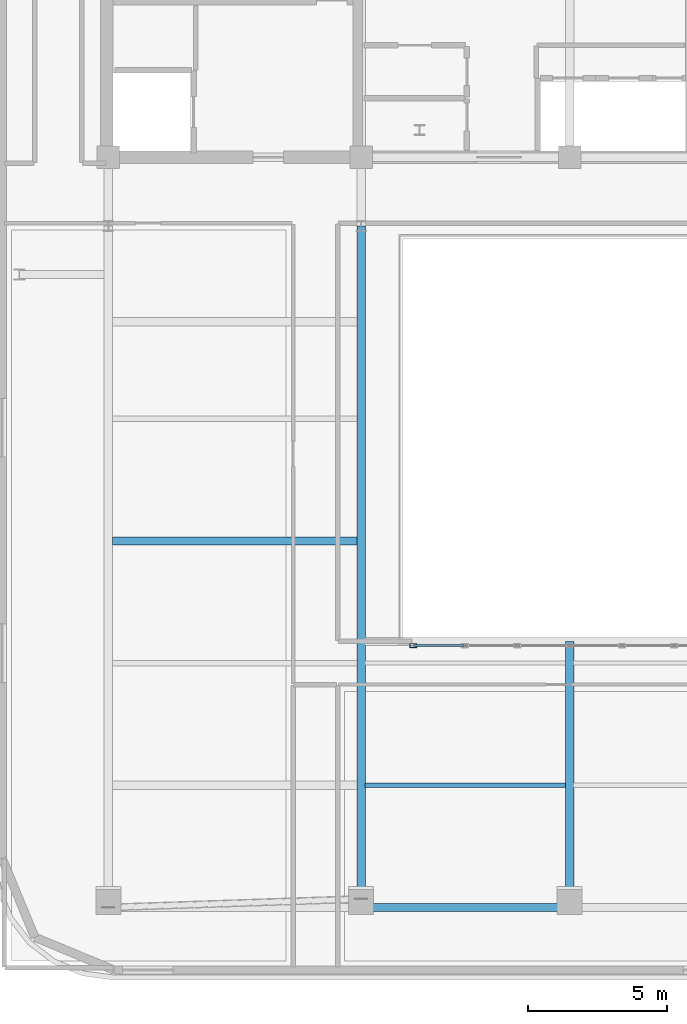
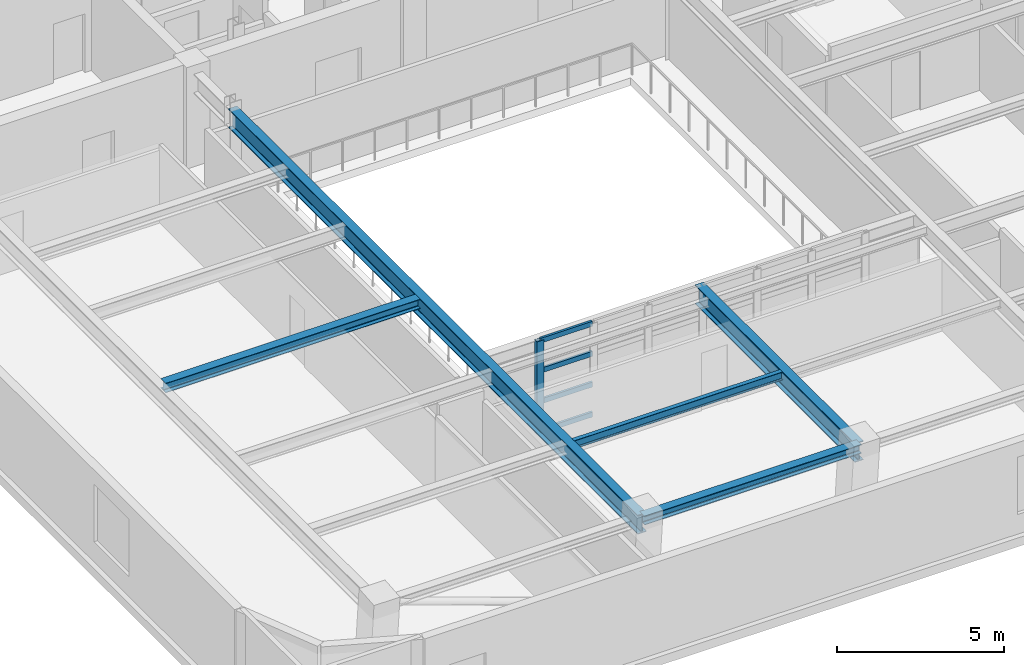
# One storey, part 2 of 11: 5 beams, 5 members, 1 element without a shape of its own.
"""IFC4 building model written with IfcOpenShell, lengths in metres."""

from ifc_helpers import new_model, si_unit, direction, frame, origin, origin_2d, place, context, subcontext, project, spatial, hollow_rectangle, i_section, extrude, material, layer, layer_set, material_profile, profile_set, type_object, element, aggregate, save


model = new_model("IFC4")

# Units and contexts
model_context = context("Model", 3, precision=1e-05, world=origin(), true_north=direction((0.0, 1.0)))
body_context = subcontext(model_context, "Body", "Model", "MODEL_VIEW")
ifc_project = project(units=[si_unit("LENGTHUNIT", "METRE"), si_unit("AREAUNIT", "SQUARE_METRE"), si_unit("VOLUMEUNIT", "CUBIC_METRE"), si_unit("PLANEANGLEUNIT", "RADIAN"), si_unit("MASSUNIT", "GRAM", prefix="KILO")], contexts=[model_context])

# Site, building, storey
site_placement = place(None, origin())
site = spatial("IfcSite", under=ifc_project, at=site_placement, CompositionType="ELEMENT")
building_placement = place(site_placement, origin())
building = spatial("IfcBuilding", under=site, at=building_placement, Name="Zarnavel Station Tower", CompositionType="ELEMENT")
storey_placement = place(building_placement, frame((0.0, 0.0, 276.89990234375)))
storey = spatial("IfcBuildingStorey", under=building, at=storey_placement, Name="L75", CompositionType="ELEMENT", Elevation=276.89990234375)

# Curtain wall, members
ifc_material_1 = material(Name="Aluminium Dark Anodised and Solar-Control Glass", Category="aluminium")
ifc_layer = layer(ifc_material_1, 0.179931640625)
ifc_layer_set = layer_set([ifc_layer], Name="CWS6")
curtain_wall_type = type_object("IfcCurtainWallType", Name="CWS6", PredefinedType="NOTDEFINED", material=ifc_layer_set)
curtain_wall_placement = place(storey_placement, origin())
curtain_wall = element("IfcCurtainWall", 1, at=curtain_wall_placement, inside=storey, type_object=curtain_wall_type, Name="L75 Curtain Wall CWS6-L75-AS", PredefinedType="NOTDEFINED")
ifc_material_2 = material(Name="Steel S355J2 (Black Fluoropolymer Coated)", Category="steel")
ifc_material_profile_1 = material_profile(ifc_material_2, hollow_rectangle(XDim=0.14990234375, YDim=0.25, WallThickness=0.010009765625, at=origin_2d()), Name="RHS250x150x10")
ifc_profile_set_1 = profile_set([ifc_material_profile_1], Name="Steel S355J2 (Black Fluoropolymer Coated)")
member_type_1 = type_object("IfcMemberType", Name="CWS6_MUL", PredefinedType="MULLION", material=ifc_profile_set_1)
member_1_placement = place(storey_placement, frame((23.179931640625, 10.25, 0.0), z_axis=(0.0, 0.0, 1.0), x_axis=(0.0, 1.0, 0.0)))
member_1 = element("IfcMember", 2, at=member_1_placement, type_object=member_type_1, Name="CW6 mullion 1", PredefinedType="MULLION", context=body_context, shape_type="SweptSolid", body=[
    extrude(hollow_rectangle(XDim=0.14990234375, YDim=0.25, WallThickness=0.010009765625, at=origin_2d()), origin(), (0.0, 0.0, 1.0), 3.380126953125),
])
ifc_material_3 = material(Name="Steel S355J2 (Black Fluoropolymer Coated)", Category="steel")
ifc_material_profile_2 = material_profile(ifc_material_3, hollow_rectangle(XDim=0.080078125, YDim=0.179931640625, WallThickness=0.00634765625, at=origin_2d()), Name="RHS180x80x6.3")
ifc_profile_set_2 = profile_set([ifc_material_profile_2], Name="Steel S355J2 (Black Fluoropolymer Coated)")
member_type_2 = type_object("IfcMemberType", Name="CWS6_TRN", PredefinedType="USERDEFINED", material=ifc_profile_set_2)
member_2_placement = place(storey_placement, frame((23.2099609375, 10.25, 0.030029296875), z_axis=(1.0, 0.0, 0.0), x_axis=(0.0, 1.0, 0.0)))
member_2 = element("IfcMember", 3, at=member_2_placement, type_object=member_type_2, Name="CW6 transom 1.1", ObjectType="TRANSOM", PredefinedType="USERDEFINED", context=body_context, shape_type="SweptSolid", body=[
    extrude(hollow_rectangle(XDim=0.080078125, YDim=0.179931640625, WallThickness=0.00634765625, at=origin_2d()), origin(), (0.0, 0.0, 1.0), 1.79345703125),
])
member_3_placement = place(storey_placement, frame((23.2099609375, 10.25, 1.126708984375), z_axis=(1.0, 0.0, 0.0), x_axis=(0.0, 1.0, 0.0)))
member_3 = element("IfcMember", 4, at=member_3_placement, type_object=member_type_2, Name="CW6 transom 1.2", ObjectType="TRANSOM", PredefinedType="USERDEFINED", context=body_context, shape_type="SweptSolid", body=[
    extrude(hollow_rectangle(XDim=0.080078125, YDim=0.179931640625, WallThickness=0.00634765625, at=origin_2d()), origin(), (0.0, 0.0, 1.0), 1.79345703125),
])
member_4_placement = place(storey_placement, frame((23.2099609375, 10.25, 2.25341796875), z_axis=(1.0, 0.0, 0.0), x_axis=(0.0, 1.0, 0.0)))
member_4 = element("IfcMember", 5, at=member_4_placement, type_object=member_type_2, Name="CW6 transom 1.3", ObjectType="TRANSOM", PredefinedType="USERDEFINED", context=body_context, shape_type="SweptSolid", body=[
    extrude(hollow_rectangle(XDim=0.080078125, YDim=0.179931640625, WallThickness=0.00634765625, at=origin_2d()), origin(), (0.0, 0.0, 1.0), 1.79345703125),
])
member_5_placement = place(storey_placement, frame((23.2099609375, 10.25, 3.35009765625), z_axis=(1.0, 0.0, 0.0), x_axis=(0.0, 1.0, 0.0)))
member_5 = element("IfcMember", 6, at=member_5_placement, type_object=member_type_2, Name="CW6 transom 1.4", ObjectType="TRANSOM", PredefinedType="USERDEFINED", context=body_context, shape_type="SweptSolid", body=[
    extrude(hollow_rectangle(XDim=0.080078125, YDim=0.179931640625, WallThickness=0.00634765625, at=origin_2d()), origin(), (0.0, 0.0, 1.0), 1.79345703125),
])
aggregate(curtain_wall, [member_1, member_2, member_3, member_4, member_5])

# Beams
ifc_material_4 = material(Name="Steel S355J2", Category="steel")
ifc_material_profile_3 = material_profile(ifc_material_4, i_section(OverallWidth=0.300048828125, OverallDepth=0.320068359375, WebThickness=0.011474609375, FlangeThickness=0.0205078125, FilletRadius=0.027099609375, at=origin_2d()), Name="HEB320")
ifc_profile_set_3 = profile_set([ifc_material_profile_3], Name="Steel S355J2")
beam_type_1 = type_object("IfcBeamType", Name="EB_HEB320", PredefinedType="SPANDREL", material=ifc_profile_set_3)
beam_1_placement = place(storey_placement, frame((21.300048828125, 0.8291015625, 3.22021484375), z_axis=(1.0, 0.0, 0.0), x_axis=(0.0, 1.0, 0.0)))
element("IfcBeam", 7, at=beam_1_placement, inside=storey, type_object=beam_type_1, Name="L75 South Raked Spandrel 2", PredefinedType="SPANDREL", context=body_context, shape_type="SweptSolid", body=[
    extrude(i_section(OverallWidth=0.300048828125, OverallDepth=0.320068359375, WebThickness=0.011474609375, FlangeThickness=0.0205078125, FilletRadius=0.027099609375, at=origin_2d()), origin(), (0.0, 0.0, 1.0), 7.5),
])
ifc_material_5 = material(Name="Steel S355J2", Category="steel")
ifc_material_profile_4 = material_profile(ifc_material_5, i_section(OverallWidth=0.300048828125, OverallDepth=0.35009765625, WebThickness=0.010009765625, FlangeThickness=0.017578125, FilletRadius=0.027099609375, at=origin_2d()), Name="HEA360")
ifc_profile_set_4 = profile_set([ifc_material_profile_4], Name="Steel S355J2")
beam_type_2 = type_object("IfcBeamType", Name="FB_HEA360", PredefinedType="BEAM", material=ifc_profile_set_4)
beam_2_placement = place(storey_placement, frame((12.344970703125, 14.014404296875, 3.205078125), z_axis=(1.0, 0.0, 0.0), x_axis=(0.0, 1.0, 0.0)))
element("IfcBeam", 8, at=beam_2_placement, inside=storey, type_object=beam_type_2, Name="L75 West Bay Beam 3", PredefinedType="BEAM", context=body_context, shape_type="SweptSolid", body=[
    extrude(i_section(OverallWidth=0.300048828125, OverallDepth=0.35009765625, WebThickness=0.010009765625, FlangeThickness=0.017578125, FilletRadius=0.027099609375, at=origin_2d()), origin(), (0.0, 0.0, 1.0), 8.81005859375),
])
ifc_material_6 = material(Name="Steel S355J2", Category="steel")
ifc_material_profile_5 = material_profile(ifc_material_6, i_section(OverallWidth=0.300048828125, OverallDepth=0.699951171875, WebThickness=0.01708984375, FlangeThickness=0.031982421875, FilletRadius=0.027099609375, at=origin_2d()), Name="HEB700")
ifc_profile_set_5 = profile_set([ifc_material_profile_5], Name="Steel S355J2")
beam_type_3 = type_object("IfcBeamType", Name="FG_HEB700", PredefinedType="USERDEFINED", material=ifc_profile_set_5)
beam_3_placement = place(storey_placement, frame((21.300048828125, 0.8291015625, 3.030029296875), z_axis=(0.0, 1.0, 0.0), x_axis=(-1.0, 0.0, 0.0)))
element("IfcBeam", 9, at=beam_3_placement, inside=storey, type_object=beam_type_3, Name="L75 South-Zone NS Girder 2", ObjectType="GIRDER", PredefinedType="USERDEFINED", context=body_context, shape_type="SweptSolid", body=[
    extrude(i_section(OverallWidth=0.300048828125, OverallDepth=0.699951171875, WebThickness=0.01708984375, FlangeThickness=0.031982421875, FilletRadius=0.027099609375, at=origin_2d()), origin(), (0.0, 0.0, 1.0), 24.52099609375),
])
beam_4_placement = place(storey_placement, frame((28.800048828125, 0.8291015625, 3.030029296875), z_axis=(0.0, 1.0, 0.0), x_axis=(-1.0, 0.0, 0.0)))
element("IfcBeam", 10, at=beam_4_placement, inside=storey, type_object=beam_type_3, Name="L75 Central Atrium-South Girder", ObjectType="GIRDER", PredefinedType="USERDEFINED", context=body_context, shape_type="SweptSolid", body=[
    extrude(i_section(OverallWidth=0.300048828125, OverallDepth=0.699951171875, WebThickness=0.01708984375, FlangeThickness=0.031982421875, FilletRadius=0.027099609375, at=origin_2d()), origin(), (0.0, 0.0, 1.0), 9.57080078125),
])
ifc_material_7 = material(Name="Steel S355J2", Category="steel")
ifc_material_profile_6 = material_profile(ifc_material_7, i_section(OverallWidth=0.14990234375, OverallDepth=0.300048828125, WebThickness=0.007080078125, FlangeThickness=0.0107421875, FilletRadius=0.014892578125, at=origin_2d()), Name="IPE300")
ifc_profile_set_6 = profile_set([ifc_material_profile_6], Name="Steel S355J2")
beam_type_4 = type_object("IfcBeamType", Name="FJ_IPE300", PredefinedType="JOIST", material=ifc_profile_set_6)
beam_5_placement = place(storey_placement, frame((21.445068359375, 5.22412109375, 3.22998046875), z_axis=(1.0, 0.0, 0.0), x_axis=(0.0, 1.0, 0.0)))
element("IfcBeam", 11, at=beam_5_placement, inside=storey, type_object=beam_type_4, Name="L75 Mid-West Joist 1", PredefinedType="JOIST", context=body_context, shape_type="SweptSolid", body=[
    extrude(i_section(OverallWidth=0.14990234375, OverallDepth=0.300048828125, WebThickness=0.007080078125, FlangeThickness=0.0107421875, FilletRadius=0.014892578125, at=origin_2d()), origin(), (0.0, 0.0, 1.0), 7.2099609375),
])

save(model, "model.ifc")
